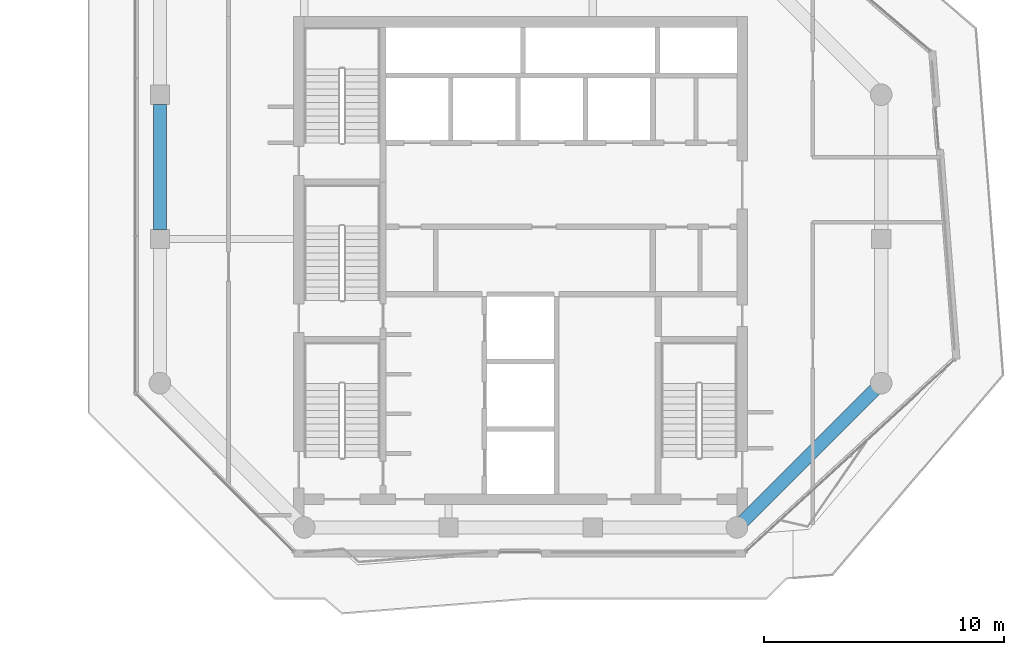
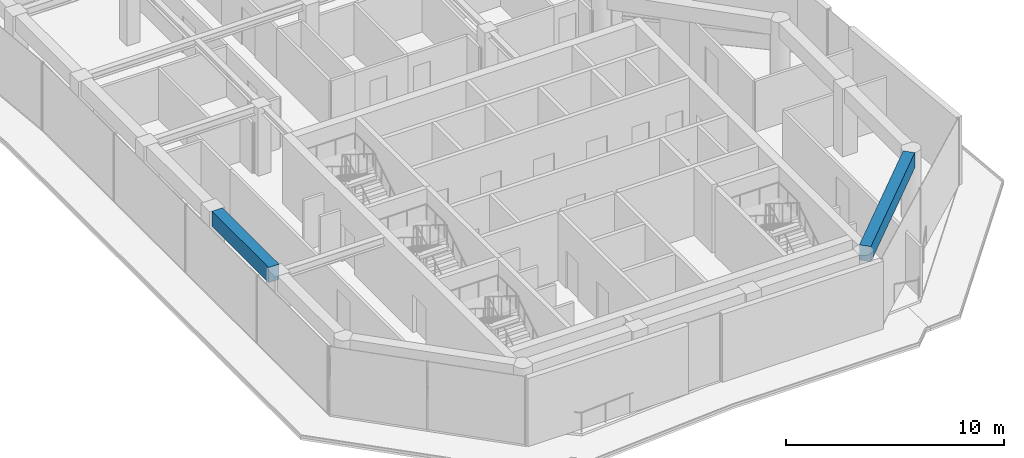
# One storey, part 3 of 23: 2 beams.
"""IFC4 building model written with IfcOpenShell, lengths in metres."""

from ifc_helpers import new_model, si_unit, direction, frame, origin, origin_2d, place, context, subcontext, project, spatial, rectangle, extrude, material, material_profile, profile_set, type_object, element, save


model = new_model("IFC4")

# Units and contexts
model_context = context("Model", 3, precision=1e-05, world=origin(), true_north=direction((0.0, 1.0)))
body_context = subcontext(model_context, "Body", "Model", "MODEL_VIEW")
ifc_project = project(units=[si_unit("LENGTHUNIT", "METRE"), si_unit("AREAUNIT", "SQUARE_METRE"), si_unit("VOLUMEUNIT", "CUBIC_METRE"), si_unit("PLANEANGLEUNIT", "RADIAN"), si_unit("MASSUNIT", "GRAM", prefix="KILO")], contexts=[model_context])

# Site, building, storey
site_placement = place(None, origin())
site = spatial("IfcSite", under=ifc_project, at=site_placement, CompositionType="ELEMENT")
building_placement = place(site_placement, origin())
building = spatial("IfcBuilding", under=site, at=building_placement, Name="Welwitschia Terrace Campus", CompositionType="ELEMENT")
storey_placement = place(building_placement, frame((0.0, 0.0, 209.60009765625)))
storey = spatial("IfcBuildingStorey", under=building, at=storey_placement, Name="L46", CompositionType="ELEMENT", Elevation=209.60009765625)

# Beams
ifc_material = material(Name="Concrete C50/60", Category="concrete")
ifc_material_profile = material_profile(ifc_material, rectangle(XDim=0.550048828125, YDim=0.85009765625, at=origin_2d()))
ifc_profile_set = profile_set([ifc_material_profile], Name="Concrete C50/60")
beam_type = type_object("IfcBeamType", Name="Ring spandrel 550x850", PredefinedType="SPANDREL", material=ifc_profile_set)
beam_1_placement = place(storey_placement, frame((24.25244140625, 4.25244140625, 3.375), z_axis=(0.707106781187, 0.707106781187, 0.0), x_axis=(-0.707106781187, 0.707106781187, 0.0)))
element("IfcBeam", 1, at=beam_1_placement, inside=storey, type_object=beam_type, Name="Spandrel SP3", PredefinedType="SPANDREL", context=body_context, shape_type="SweptSolid", body=[
    extrude(rectangle(XDim=0.550048828125, YDim=0.85009765625, at=origin_2d()), origin(), (0.0, 0.0, 1.0), 7.771240234375),
])
beam_2_placement = place(storey_placement, frame((0.0, 21.599609375, 3.375), z_axis=(0.0, -1.0, 0.0), x_axis=(1.0, 0.0, 0.0)))
element("IfcBeam", 2, at=beam_2_placement, inside=storey, type_object=beam_type, Name="Spandrel SP3", PredefinedType="SPANDREL", context=body_context, shape_type="SweptSolid", body=[
    extrude(rectangle(XDim=0.550048828125, YDim=0.85009765625, at=origin_2d()), origin(), (0.0, 0.0, 1.0), 5.19921875),
])

save(model, "model.ifc")
